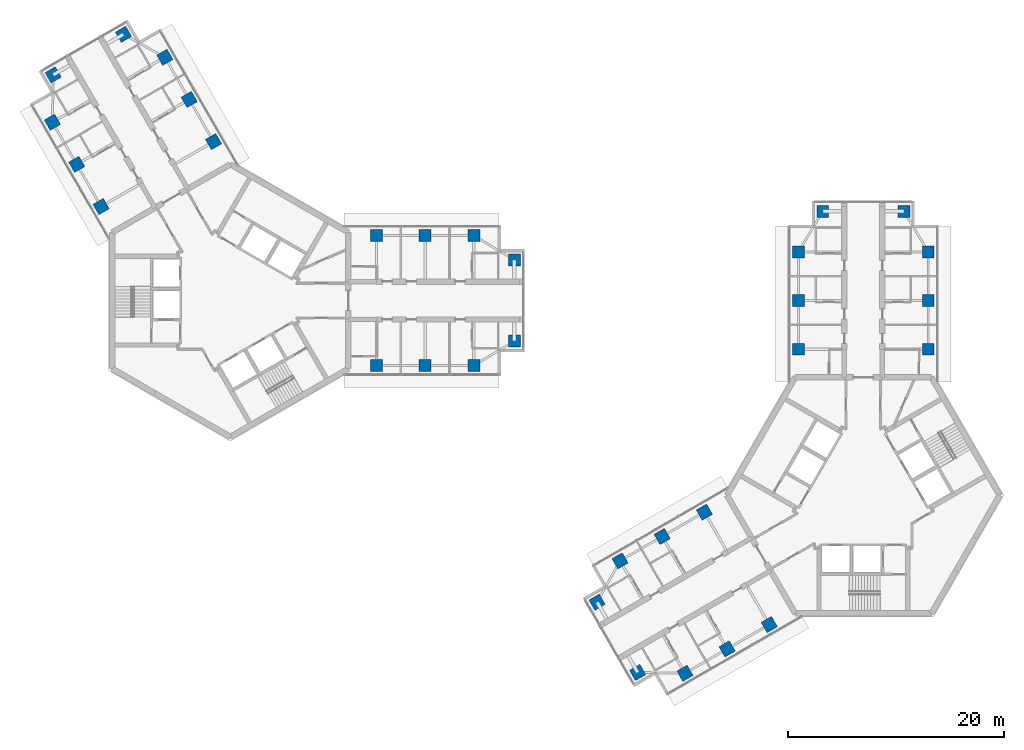
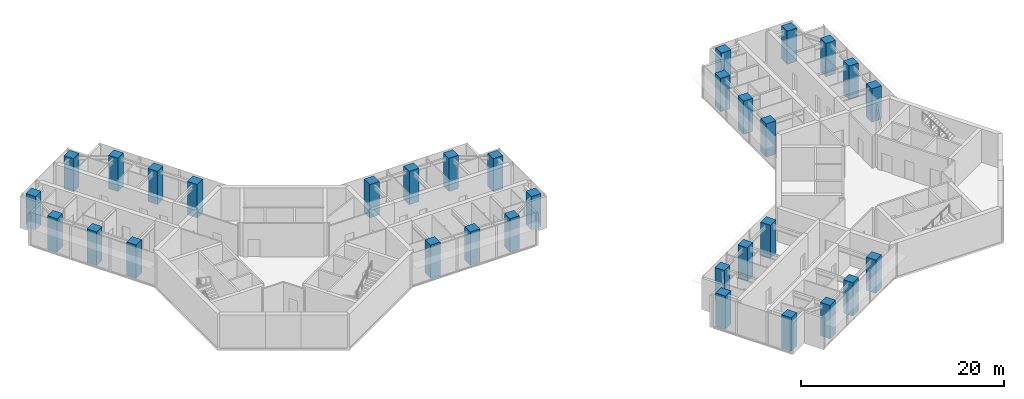
# One storey, part 1 of 18: 32 columns.
"""IFC4 building model written with IfcOpenShell, lengths in metres."""

from ifc_helpers import new_model, si_unit, direction, frame, origin, origin_2d, place, context, subcontext, project, spatial, rectangle, extrude, material, material_profile, profile_set, type_object, element, save


model = new_model("IFC4")

# Units and contexts
model_context = context("Model", 3, precision=1e-05, world=origin(), true_north=direction((0.0, 1.0)))
body_context = subcontext(model_context, "Body", "Model", "MODEL_VIEW")
ifc_project = project(units=[si_unit("LENGTHUNIT", "METRE"), si_unit("AREAUNIT", "SQUARE_METRE"), si_unit("VOLUMEUNIT", "CUBIC_METRE"), si_unit("PLANEANGLEUNIT", "RADIAN"), si_unit("MASSUNIT", "GRAM", prefix="KILO")], contexts=[model_context])

# Site, building, storey
site_placement = place(None, origin())
site = spatial("IfcSite", under=ifc_project, at=site_placement, CompositionType="ELEMENT")
building_placement = place(site_placement, origin())
building = spatial("IfcBuilding", under=site, at=building_placement, Name="Upepo Twin Towers", CompositionType="ELEMENT")
storey_placement = place(building_placement, frame((0.0, 0.0, 226.5)))
storey = spatial("IfcBuildingStorey", under=building, at=storey_placement, Name="L55", CompositionType="ELEMENT", Elevation=226.5)

# Columns
ifc_material = material(Name="Concrete C60/75", Category="concrete")
ifc_material_profile = material_profile(ifc_material, rectangle(XDim=1.10009765625, YDim=1.10009765625, at=origin_2d()), Name="RC 1100x1100")
ifc_profile_set = profile_set([ifc_material_profile], Name="Concrete C60/75")
column_type = type_object("IfcColumnType", Name="Tower column RC 1100x1100", PredefinedType="COLUMN", material=ifc_profile_set)
for number, where, z_axis, x_axis, name in (
    (1, (13.5, 6.0, 0.0), (0.0, 0.0, 1.0), (1.0, 0.0, 0.0), "T1 column AL135"),
    (2, (13.5, -6.0, 0.0), (0.0, 0.0, 1.0), (1.0, 0.0, 0.0), "T1 column AR135"),
    (3, (18.0, 6.0, 0.0), (0.0, 0.0, 1.0), (1.0, 0.0, 0.0), "T1 column AL180"),
    (4, (18.0, -6.0, 0.0), (0.0, 0.0, 1.0), (1.0, 0.0, 0.0), "T1 column AR180"),
    (5, (22.5, 6.0, 0.0), (0.0, 0.0, 1.0), (1.0, 0.0, 0.0), "T1 column AL225"),
    (6, (22.5, -6.0, 0.0), (0.0, 0.0, 1.0), (1.0, 0.0, 0.0), "T1 column AR225"),
    (7, (26.25, 3.75, 0.0), (0.0, 0.0, 1.0), (1.0, 0.0, 0.0), "T1 column ALN"),
    (8, (26.25, -3.75, 0.0), (0.0, 0.0, 1.0), (1.0, 0.0, 0.0), "T1 column ARN"),
    (9, (-11.946044921875, 8.69140625, 0.0), (0.0, 0.0, 1.0), (0.866025403784, 0.5, 0.0), "T1 column BL135"),
    (10, (-1.553955078125, 14.69140625, 0.0), (0.0, 0.0, 1.0), (0.866025403784, 0.5, 0.0), "T1 column BR135"),
    (11, (-14.196044921875, 12.58837890625, 0.0), (0.0, 0.0, 1.0), (0.866025403784, 0.5, 0.0), "T1 column BL180"),
    (12, (-3.803955078125, 18.58837890625, 0.0), (0.0, 0.0, 1.0), (0.866025403784, 0.5, 0.0), "T1 column BR180"),
    (13, (-16.446044921875, 16.485595703125, 0.0), (0.0, 0.0, 1.0), (0.866025403784, 0.5, 0.0), "T1 column BL225"),
    (14, (-6.053955078125, 22.485595703125, 0.0), (0.0, 0.0, 1.0), (0.866025403784, 0.5, 0.0), "T1 column BR225"),
    (15, (-16.37255859375, 20.858154296875, 0.0), (0.0, 0.0, 1.0), (0.866025403784, 0.5, 0.0), "T1 column BLN"),
    (16, (-9.87744140625, 24.608154296875, 0.0), (0.0, 0.0, 1.0), (0.866025403784, 0.5, 0.0), "T1 column BRN"),
    (17, (52.5, -4.5, 0.0), (0.0, 0.0, 1.0), (1.0, 0.0, 0.0), "T2 column AL135"),
    (18, (64.5, -4.5, 0.0), (0.0, 0.0, 1.0), (1.0, 0.0, 0.0), "T2 column AR135"),
    (19, (52.5, 0.0, 0.0), (0.0, 0.0, 1.0), (1.0, 0.0, 0.0), "T2 column AL180"),
    (20, (64.5, 0.0, 0.0), (0.0, 0.0, 1.0), (1.0, 0.0, 0.0), "T2 column AR180"),
    (21, (52.5, 4.5, 0.0), (0.0, 0.0, 1.0), (1.0, 0.0, 0.0), "T2 column AL225"),
    (22, (64.5, 4.5, 0.0), (0.0, 0.0, 1.0), (1.0, 0.0, 0.0), "T2 column AR225"),
    (23, (54.75, 8.25, 0.0), (0.0, 0.0, 1.0), (1.0, 0.0, 0.0), "T2 column ALN"),
    (24, (62.25, 8.25, 0.0), (0.0, 0.0, 1.0), (1.0, 0.0, 0.0), "T2 column ARN"),
    (25, (49.80859375, -29.946044921875, 0.0), (0.0, 0.0, 1.0), (0.866025403784, 0.5, 0.0), "T2 column BL135"),
    (26, (43.80859375, -19.553955078125, 0.0), (0.0, 0.0, 1.0), (0.866025403784, 0.5, 0.0), "T2 column BR135"),
    (27, (45.91162109375, -32.196044921875, 0.0), (0.0, 0.0, 1.0), (0.866025403784, 0.5, 0.0), "T2 column BL180"),
    (28, (39.91162109375, -21.803955078125, 0.0), (0.0, 0.0, 1.0), (0.866025403784, 0.5, 0.0), "T2 column BR180"),
    (29, (42.014404296875, -34.446044921875, 0.0), (0.0, 0.0, 1.0), (0.866025403784, 0.5, 0.0), "T2 column BL225"),
    (30, (36.014404296875, -24.053955078125, 0.0), (0.0, 0.0, 1.0), (0.866025403784, 0.5, 0.0), "T2 column BR225"),
    (31, (37.641845703125, -34.37255859375, 0.0), (0.0, 0.0, 1.0), (0.866025403784, 0.5, 0.0), "T2 column BLN"),
    (32, (33.891845703125, -27.87744140625, 0.0), (0.0, 0.0, 1.0), (0.866025403784, 0.5, 0.0), "T2 column BRN"),
):
    element("IfcColumn", number, at=place(storey_placement, frame(where, z_axis=z_axis, x_axis=x_axis)), inside=storey, type_object=column_type, Name=name, PredefinedType="COLUMN", context=body_context, shape_type="SweptSolid", body=[
        extrude(rectangle(XDim=1.10009765625, YDim=1.10009765625, at=origin_2d()), origin(), (0.0, 0.0, 1.0), 4.0),
    ])

save(model, "model.ifc")
